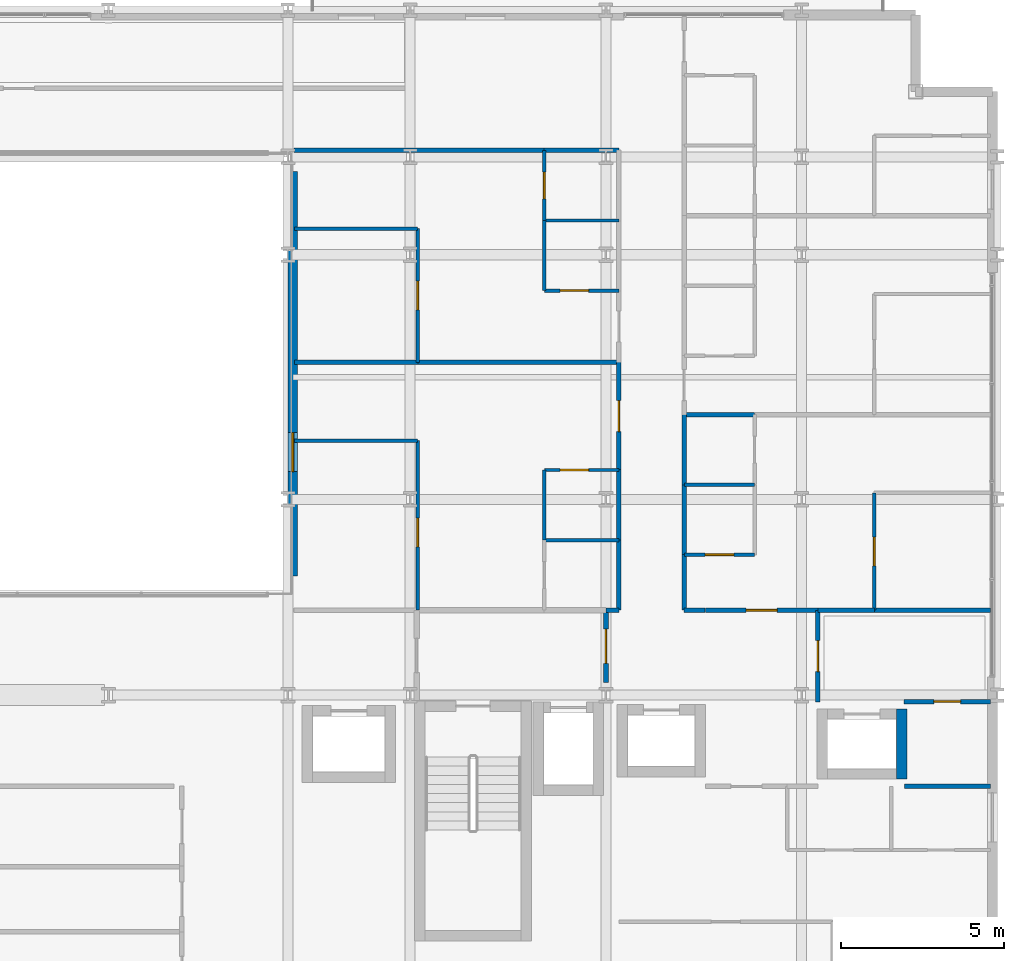
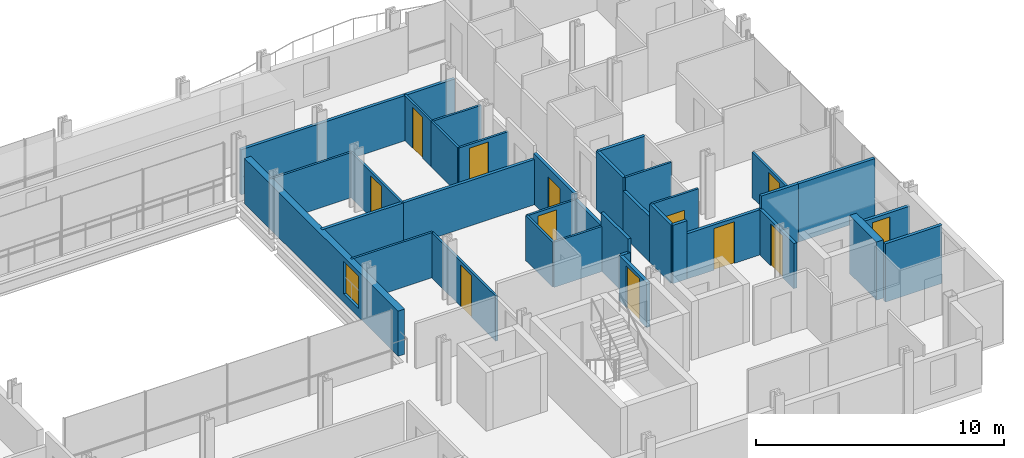
# One storey, part 35 of 40: 36 walls, 12 doors, 1 window, 13 openings.
"""IFC4 building model written with IfcOpenShell, lengths in metres."""

from ifc_helpers import new_model, si_unit, direction, frame, frame_2d, origin, place, context, subcontext, project, spatial, rectangle, extrude, material, layer, layer_set, type_object, element, fill, save


model = new_model("IFC4")

# Units and contexts
model_context = context("Model", 3, precision=1e-05, world=origin(), true_north=direction((0.0, 1.0)))
body_context = subcontext(model_context, "Body", "Model", "MODEL_VIEW")
ifc_project = project(units=[si_unit("LENGTHUNIT", "METRE"), si_unit("AREAUNIT", "SQUARE_METRE"), si_unit("VOLUMEUNIT", "CUBIC_METRE"), si_unit("PLANEANGLEUNIT", "RADIAN"), si_unit("MASSUNIT", "GRAM", prefix="KILO")], contexts=[model_context])

# Site, building, storey
site_placement = place(None, origin())
site = spatial("IfcSite", under=ifc_project, at=site_placement, CompositionType="ELEMENT")
building_placement = place(site_placement, origin())
building = spatial("IfcBuilding", under=site, at=building_placement, Name="Brevholm Reach", CompositionType="ELEMENT")
storey_placement = place(building_placement, frame((0.0, 0.0, 37.300048828125)))
storey = spatial("IfcBuildingStorey", under=building, at=storey_placement, Name="L09", CompositionType="ELEMENT", Elevation=37.300048828125)

# Wall
ifc_material_1 = material(Name="Concrete C60/75", Category="concrete")
ifc_layer_1 = layer(ifc_material_1, 0.320068359375)
ifc_layer_set_1 = layer_set([ifc_layer_1], Name="Concrete C60/75")
wall_type_1 = type_object("IfcWallType", Name="WAL-COR-320", PredefinedType="SHEAR", material=ifc_layer_set_1)
wall_1_placement = place(storey_placement, frame((57.070068359375, 7.419921875, 0.0), z_axis=(0.0, 0.0, 1.0), x_axis=(0.0, 1.0, 0.0)))
element("IfcWall", 1, at=wall_1_placement, inside=storey, type_object=wall_type_1, Name="L09 Lift PL-L2 Shaft Wall E", PredefinedType="SHEAR", context=body_context, shape_type="SweptSolid", body=[
    extrude(rectangle(XDim=2.16015625, YDim=0.320068359375, at=frame_2d((1.080078125, 0.0))), origin(), (0.0, 0.0, 1.0), 2.869873046875),
])

# Wall, opening, window
ifc_material_2 = material(Name="Concrete C40/50", Category="concrete")
ifc_layer_2 = layer(ifc_material_2, 0.300048828125)
ifc_layer_set_2 = layer_set([ifc_layer_2], Name="Concrete C40/50")
wall_type_2 = type_object("IfcWallType", Name="WAL-EXT-300", PredefinedType="STANDARD", material=ifc_layer_set_2)
wall_2_placement = place(storey_placement, frame((38.39990234375, 13.64990234375, 0.0), z_axis=(0.0, 0.0, 1.0), x_axis=(0.0, 1.0, 0.0)))
wall_2 = element("IfcWall", 2, at=wall_2_placement, inside=storey, type_object=wall_type_2, Name="L09 Facade Wall WAL-L09-AT-E", PredefinedType="STANDARD", context=body_context, shape_type="SweptSolid", body=[
    extrude(rectangle(XDim=12.400146484375, YDim=0.300048828125, at=frame_2d((6.2001953125, 0.0))), origin(), (0.0, 0.0, 1.0), 2.224853515625),
])
opening_1_placement = place(wall_2_placement, frame((3.199951171875, 0.0, 0.405029296875)))
opening_1 = element("IfcOpeningElement", 3, at=opening_1_placement, cuts=wall_2, Name="Opening WN-08", PredefinedType="OPENING", context=body_context, shape_type="SweptSolid", body=[
    extrude(rectangle(XDim=1.199951171875, YDim=1.60009765625, at=frame_2d((0.60009765625, 0.800048828125))), frame((0.0, 0.159912109375, 0.0), z_axis=(0.0, -1.0, 0.0), x_axis=(1.0, 0.0, 0.0)), (0.0, 0.0, 1.0), 0.320068359375),
])
ifc_material_3 = material(Name="Dark Anodised Aluminium and Solar-Control IGU Glass", Category="aluminium")
window_type = type_object("IfcWindowType", Name="WIN-RES-1200", PartitioningType="SINGLE_PANEL", PredefinedType="WINDOW", material=ifc_material_3)
window_placement = place(opening_1_placement, origin())
window = element("IfcWindow", 4, at=window_placement, inside=storey, type_object=window_type, Name="L09 Window WIN-L09-AT-E1", OverallHeight=1.60009765625, OverallWidth=1.199951171875, PartitioningType="SINGLE_PANEL", PredefinedType="WINDOW", context=body_context, shape_type="SweptSolid", body=[
    extrude(rectangle(XDim=1.199951171875, YDim=1.60009765625, at=frame_2d((0.60009765625, 0.800048828125))), frame((0.0, 0.030029296875, 0.0), z_axis=(0.0, -1.0, 0.0), x_axis=(1.0, 0.0, 0.0)), (0.0, 0.0, 1.0), 0.06005859375),
])
fill(opening_1, window)

# Wall
ifc_material_4 = material(Name="Moisture-Resistant Acoustic Gypsum Stud Partition 100 mm", Category="gypsum")
ifc_layer_3 = layer(ifc_material_4, 0.10009765625)
ifc_layer_set_3 = layer_set([ifc_layer_3], Name="Moisture-Resistant Acoustic Gypsum Stud Partition 100 mm")
wall_type_3 = type_object("IfcWallType", Name="WAL-PRT-100", PredefinedType="PARTITIONING", material=ifc_layer_set_3)
wall_3_placement = place(storey_placement, frame((46.112060546875, 14.75, 0.0), z_axis=(0.0, 0.0, 1.0), x_axis=(1.0, 0.0, 0.0)))
element("IfcWall", 5, at=wall_3_placement, inside=storey, type_object=wall_type_3, Name="L09 Internal Partition 124", PredefinedType="PARTITIONING", context=body_context, shape_type="SweptSolid", body=[
    extrude(rectangle(XDim=2.283935546875, YDim=0.10009765625, at=frame_2d((1.14208984375, 0.0))), origin(), (0.0, 0.0, 1.0), 2.224853515625),
])

# Wall, opening, door
wall_4_placement = place(storey_placement, frame((46.112060546875, 16.89990234375, 0.0), z_axis=(0.0, 0.0, 1.0), x_axis=(1.0, 0.0, 0.0)))
wall_4 = element("IfcWall", 6, at=wall_4_placement, inside=storey, type_object=wall_type_3, Name="L09 Internal Partition 126", PredefinedType="PARTITIONING", context=body_context, shape_type="SweptSolid", body=[
    extrude(rectangle(XDim=2.283935546875, YDim=0.10009765625, at=frame_2d((1.14208984375, 0.0))), origin(), (0.0, 0.0, 1.0), 2.224853515625),
])
opening_2_placement = place(wall_4_placement, frame((0.48193359375, 0.0, 0.0)))
opening_2 = element("IfcOpeningElement", 7, at=opening_2_placement, cuts=wall_4, Name="Opening ID-01", PredefinedType="OPENING", context=body_context, shape_type="SweptSolid", body=[
    extrude(rectangle(XDim=0.8798828125, YDim=2.0400390625, at=frame_2d((0.43994140625, 1.02001953125))), frame((0.0, 0.06005859375, 0.0), z_axis=(0.0, -1.0, 0.0), x_axis=(1.0, 0.0, 0.0)), (0.0, 0.0, 1.0), 0.1201171875),
])
ifc_material_5 = material(Name="Lacquered Ash Solid-Core Acoustic Internal Door", Category="timber")
door_type_1 = type_object("IfcDoorType", Name="DOR-INT-880", OperationType="NOTDEFINED", PredefinedType="DOOR", material=ifc_material_5)
door_1_placement = place(opening_2_placement, origin())
door_1 = element("IfcDoor", 8, at=door_1_placement, inside=storey, type_object=door_type_1, Name="L09 Internal Door 047", OperationType="SINGLE_SWING_RIGHT", OverallHeight=2.0400390625, OverallWidth=0.8798828125, PredefinedType="DOOR", context=body_context, shape_type="SweptSolid", body=[
    extrude(rectangle(XDim=0.8798828125, YDim=2.0400390625, at=frame_2d((0.43994140625, 1.02001953125))), frame((0.0, 0.02490234375, 0.0), z_axis=(0.0, -1.0, 0.0), x_axis=(1.0, 0.0, 0.0)), (0.0, 0.0, 1.0), 0.050048828125),
])
fill(opening_2, door_1)

# Wall
wall_5_placement = place(storey_placement, frame((46.112060546875, 14.75390625, 0.0), z_axis=(0.0, 0.0, 1.0), x_axis=(0.0, 1.0, 0.0)))
element("IfcWall", 9, at=wall_5_placement, inside=storey, type_object=wall_type_3, Name="L09 Internal Partition 127", PredefinedType="PARTITIONING", context=body_context, shape_type="SweptSolid", body=[
    extrude(rectangle(XDim=2.14599609375, YDim=0.10009765625, at=frame_2d((1.072998046875, 0.0))), origin(), (0.0, 0.0, 1.0), 2.224853515625),
])

# Wall, opening, door
wall_6_placement = place(storey_placement, frame((42.23095703125, 12.60400390625, 0.0), z_axis=(0.0, 0.0, 1.0), x_axis=(0.0, 1.0, 0.0)))
wall_6 = element("IfcWall", 10, at=wall_6_placement, inside=storey, type_object=wall_type_3, Name="L09 Internal Partition 128", PredefinedType="PARTITIONING", context=body_context, shape_type="SweptSolid", body=[
    extrude(rectangle(XDim=5.196044921875, YDim=0.10009765625, at=frame_2d((2.59814453125, 0.0))), origin(), (0.0, 0.0, 1.0), 2.224853515625),
])
opening_3_placement = place(wall_6_placement, frame((1.93798828125, 0.0, 0.0)))
opening_3 = element("IfcOpeningElement", 11, at=opening_3_placement, cuts=wall_6, Name="Opening ID-01", PredefinedType="OPENING", context=body_context, shape_type="SweptSolid", body=[
    extrude(rectangle(XDim=0.8798828125, YDim=2.0400390625, at=frame_2d((0.43994140625, 1.02001953125))), frame((0.0, 0.06005859375, 0.0), z_axis=(0.0, -1.0, 0.0), x_axis=(1.0, 0.0, 0.0)), (0.0, 0.0, 1.0), 0.1201171875),
])
door_2_placement = place(opening_3_placement, origin())
door_2 = element("IfcDoor", 12, at=door_2_placement, inside=storey, type_object=door_type_1, Name="L09 Internal Door 048", OperationType="SINGLE_SWING_LEFT", OverallHeight=2.0400390625, OverallWidth=0.8798828125, PredefinedType="DOOR", context=body_context, shape_type="SweptSolid", body=[
    extrude(rectangle(XDim=0.8798828125, YDim=2.0400390625, at=frame_2d((0.43994140625, 1.02001953125))), frame((0.0, 0.02490234375, 0.0), z_axis=(0.0, -1.0, 0.0), x_axis=(1.0, 0.0, 0.0)), (0.0, 0.0, 1.0), 0.050048828125),
])
fill(opening_3, door_2)

# Walls
wall_7_placement = place(storey_placement, frame((38.449951171875, 17.800048828125, 0.0), z_axis=(0.0, 0.0, 1.0), x_axis=(1.0, 0.0, 0.0)))
element("IfcWall", 13, at=wall_7_placement, inside=storey, type_object=wall_type_3, Name="L09 Internal Partition 129", PredefinedType="PARTITIONING", context=body_context, shape_type="SweptSolid", body=[
    extrude(rectangle(XDim=3.781005859375, YDim=0.10009765625, at=frame_2d((1.890625, 0.0))), origin(), (0.0, 0.0, 1.0), 2.224853515625),
])
wall_8_placement = place(storey_placement, frame((46.112060546875, 24.550048828125, 0.0), z_axis=(0.0, 0.0, 1.0), x_axis=(1.0, 0.0, 0.0)))
element("IfcWall", 14, at=wall_8_placement, inside=storey, type_object=wall_type_3, Name="L09 Internal Partition 132", PredefinedType="PARTITIONING", context=body_context, shape_type="SweptSolid", body=[
    extrude(rectangle(XDim=2.283935546875, YDim=0.10009765625, at=frame_2d((1.14208984375, 0.0))), origin(), (0.0, 0.0, 1.0), 2.224853515625),
])

# Wall, opening, door
wall_9_placement = place(storey_placement, frame((46.112060546875, 24.550048828125, 0.0), z_axis=(0.0, 0.0, 1.0), x_axis=(0.0, 1.0, 0.0)))
wall_9 = element("IfcWall", 15, at=wall_9_placement, inside=storey, type_object=wall_type_3, Name="L09 Internal Partition 133", PredefinedType="PARTITIONING", context=body_context, shape_type="SweptSolid", body=[
    extrude(rectangle(XDim=2.14599609375, YDim=0.10009765625, at=frame_2d((1.072998046875, 0.0))), origin(), (0.0, 0.0, 1.0), 2.224853515625),
])
opening_4_placement = place(wall_9_placement, frame((0.6630859375, 0.0, 0.0)))
opening_4 = element("IfcOpeningElement", 16, at=opening_4_placement, cuts=wall_9, Name="Opening ID-03", PredefinedType="OPENING", context=body_context, shape_type="SweptSolid", body=[
    extrude(rectangle(XDim=0.820068359375, YDim=2.02001953125, at=frame_2d((0.41015625, 1.010009765625))), frame((0.0, 0.06005859375, 0.0), z_axis=(0.0, -1.0, 0.0), x_axis=(1.0, 0.0, 0.0)), (0.0, 0.0, 1.0), 0.1201171875),
])
ifc_material_6 = material(Name="Moisture-Resistant Painted Timber Internal Bathroom Door", Category="wood")
door_type_2 = type_object("IfcDoorType", Name="DOR-BATH-820", OperationType="NOTDEFINED", PredefinedType="DOOR", material=ifc_material_6)
door_3_placement = place(opening_4_placement, origin())
door_3 = element("IfcDoor", 17, at=door_3_placement, inside=storey, type_object=door_type_2, Name="L09 Internal Door 049", OperationType="SINGLE_SWING_RIGHT", OverallHeight=2.02001953125, OverallWidth=0.820068359375, PredefinedType="DOOR", context=body_context, shape_type="SweptSolid", body=[
    extrude(rectangle(XDim=0.820068359375, YDim=2.02001953125, at=frame_2d((0.41015625, 1.010009765625))), frame((0.0, 0.02490234375, 0.0), z_axis=(0.0, -1.0, 0.0), x_axis=(1.0, 0.0, 0.0)), (0.0, 0.0, 1.0), 0.050048828125),
])
fill(opening_4, door_3)

wall_10_placement = place(storey_placement, frame((46.112060546875, 22.39990234375, 0.0), z_axis=(0.0, 0.0, 1.0), x_axis=(1.0, 0.0, 0.0)))
wall_10 = element("IfcWall", 18, at=wall_10_placement, inside=storey, type_object=wall_type_3, Name="L09 Internal Partition 134", PredefinedType="PARTITIONING", context=body_context, shape_type="SweptSolid", body=[
    extrude(rectangle(XDim=2.283935546875, YDim=0.10009765625, at=frame_2d((1.14208984375, 0.0))), origin(), (0.0, 0.0, 1.0), 2.224853515625),
])
opening_5_placement = place(wall_10_placement, frame((0.48193359375, 0.0, 0.0)))
opening_5 = element("IfcOpeningElement", 19, at=opening_5_placement, cuts=wall_10, Name="Opening ID-01", PredefinedType="OPENING", context=body_context, shape_type="SweptSolid", body=[
    extrude(rectangle(XDim=0.8798828125, YDim=2.0400390625, at=frame_2d((0.43994140625, 1.02001953125))), frame((0.0, 0.06005859375, 0.0), z_axis=(0.0, -1.0, 0.0), x_axis=(1.0, 0.0, 0.0)), (0.0, 0.0, 1.0), 0.1201171875),
])
door_4_placement = place(opening_5_placement, origin())
door_4 = element("IfcDoor", 20, at=door_4_placement, inside=storey, type_object=door_type_1, Name="L09 Internal Door 050", OperationType="SINGLE_SWING_LEFT", OverallHeight=2.0400390625, OverallWidth=0.8798828125, PredefinedType="DOOR", context=body_context, shape_type="SweptSolid", body=[
    extrude(rectangle(XDim=0.8798828125, YDim=2.0400390625, at=frame_2d((0.43994140625, 1.02001953125))), frame((0.0, 0.02490234375, 0.0), z_axis=(0.0, -1.0, 0.0), x_axis=(1.0, 0.0, 0.0)), (0.0, 0.0, 1.0), 0.050048828125),
])
fill(opening_5, door_4)

# Wall
wall_11_placement = place(storey_placement, frame((46.112060546875, 22.39990234375, 0.0), z_axis=(0.0, 0.0, 1.0), x_axis=(0.0, 1.0, 0.0)))
element("IfcWall", 21, at=wall_11_placement, inside=storey, type_object=wall_type_3, Name="L09 Internal Partition 135", PredefinedType="PARTITIONING", context=body_context, shape_type="SweptSolid", body=[
    extrude(rectangle(XDim=2.14599609375, YDim=0.10009765625, at=frame_2d((1.072998046875, 0.0))), origin(), (0.0, 0.0, 1.0), 2.224853515625),
])

# Wall, opening, door
wall_12_placement = place(storey_placement, frame((42.23095703125, 20.2041015625, 0.0), z_axis=(0.0, 0.0, 1.0), x_axis=(0.0, 1.0, 0.0)))
wall_12 = element("IfcWall", 22, at=wall_12_placement, inside=storey, type_object=wall_type_3, Name="L09 Internal Partition 136", PredefinedType="PARTITIONING", context=body_context, shape_type="SweptSolid", body=[
    extrude(rectangle(XDim=4.095947265625, YDim=0.10009765625, at=frame_2d((2.0478515625, 0.0))), origin(), (0.0, 0.0, 1.0), 2.224853515625),
])
opening_6_placement = place(wall_12_placement, frame((1.60791015625, 0.0, 0.0)))
opening_6 = element("IfcOpeningElement", 23, at=opening_6_placement, cuts=wall_12, Name="Opening ID-01", PredefinedType="OPENING", context=body_context, shape_type="SweptSolid", body=[
    extrude(rectangle(XDim=0.8798828125, YDim=2.0400390625, at=frame_2d((0.43994140625, 1.02001953125))), frame((0.0, 0.06005859375, 0.0), z_axis=(0.0, -1.0, 0.0), x_axis=(1.0, 0.0, 0.0)), (0.0, 0.0, 1.0), 0.1201171875),
])
door_5_placement = place(opening_6_placement, origin())
door_5 = element("IfcDoor", 24, at=door_5_placement, inside=storey, type_object=door_type_1, Name="L09 Internal Door 051", OperationType="SINGLE_SWING_RIGHT", OverallHeight=2.0400390625, OverallWidth=0.8798828125, PredefinedType="DOOR", context=body_context, shape_type="SweptSolid", body=[
    extrude(rectangle(XDim=0.8798828125, YDim=2.0400390625, at=frame_2d((0.43994140625, 1.02001953125))), frame((0.0, 0.02490234375, 0.0), z_axis=(0.0, -1.0, 0.0), x_axis=(1.0, 0.0, 0.0)), (0.0, 0.0, 1.0), 0.050048828125),
])
fill(opening_6, door_5)

# Walls
wall_13_placement = place(storey_placement, frame((38.449951171875, 24.300048828125, 0.0), z_axis=(0.0, 0.0, 1.0), x_axis=(1.0, 0.0, 0.0)))
element("IfcWall", 25, at=wall_13_placement, inside=storey, type_object=wall_type_3, Name="L09 Internal Partition 137", PredefinedType="PARTITIONING", context=body_context, shape_type="SweptSolid", body=[
    extrude(rectangle(XDim=3.781005859375, YDim=0.10009765625, at=frame_2d((1.890625, 0.0))), origin(), (0.0, 0.0, 1.0), 2.224853515625),
])
wall_14_placement = place(storey_placement, frame((50.404052734375, 16.449951171875, 0.0), z_axis=(0.0, 0.0, 1.0), x_axis=(1.0, 0.0, 0.0)))
element("IfcWall", 26, at=wall_14_placement, inside=storey, type_object=wall_type_3, Name="L09 Internal Partition 138", PredefinedType="PARTITIONING", context=body_context, shape_type="SweptSolid", body=[
    extrude(rectangle(XDim=2.157958984375, YDim=0.10009765625, at=frame_2d((1.0791015625, 0.0))), origin(), (0.0, 0.0, 1.0), 2.869873046875),
])

# Wall, opening, door
wall_15_placement = place(storey_placement, frame((50.404052734375, 14.300048828125, 0.0), z_axis=(0.0, 0.0, 1.0), x_axis=(1.0, 0.0, 0.0)))
wall_15 = element("IfcWall", 27, at=wall_15_placement, inside=storey, type_object=wall_type_3, Name="L09 Internal Partition 141", PredefinedType="PARTITIONING", context=body_context, shape_type="SweptSolid", body=[
    extrude(rectangle(XDim=2.157958984375, YDim=0.10009765625, at=frame_2d((1.0791015625, 0.0))), origin(), (0.0, 0.0, 1.0), 2.869873046875),
])
opening_7_placement = place(wall_15_placement, frame((0.638916015625, 0.0, 0.0)))
opening_7 = element("IfcOpeningElement", 28, at=opening_7_placement, cuts=wall_15, Name="Opening ID-01", PredefinedType="OPENING", context=body_context, shape_type="SweptSolid", body=[
    extrude(rectangle(XDim=0.8798828125, YDim=2.0400390625, at=frame_2d((0.43994140625, 1.02001953125))), frame((0.0, 0.06005859375, 0.0), z_axis=(0.0, -1.0, 0.0), x_axis=(1.0, 0.0, 0.0)), (0.0, 0.0, 1.0), 0.1201171875),
])
door_6_placement = place(opening_7_placement, origin())
door_6 = element("IfcDoor", 29, at=door_6_placement, inside=storey, type_object=door_type_1, Name="L09 Internal Door 053", OperationType="SINGLE_SWING_RIGHT", OverallHeight=2.0400390625, OverallWidth=0.8798828125, PredefinedType="DOOR", context=body_context, shape_type="SweptSolid", body=[
    extrude(rectangle(XDim=0.8798828125, YDim=2.0400390625, at=frame_2d((0.43994140625, 1.02001953125))), frame((0.0, 0.02490234375, 0.0), z_axis=(0.0, -1.0, 0.0), x_axis=(1.0, 0.0, 0.0)), (0.0, 0.0, 1.0), 0.050048828125),
])
fill(opening_7, door_6)

wall_16_placement = place(storey_placement, frame((56.22802734375, 12.60400390625, 0.0), z_axis=(0.0, 0.0, 1.0), x_axis=(0.0, 1.0, 0.0)))
wall_16 = element("IfcWall", 30, at=wall_16_placement, inside=storey, type_object=wall_type_3, Name="L09 Internal Partition 144", PredefinedType="PARTITIONING", context=body_context, shape_type="SweptSolid", body=[
    extrude(rectangle(XDim=3.595947265625, YDim=0.10009765625, at=frame_2d((1.7978515625, 0.0))), origin(), (0.0, 0.0, 1.0), 2.224853515625),
])
opening_8_placement = place(wall_16_placement, frame((1.35791015625, 0.0, 0.0)))
opening_8 = element("IfcOpeningElement", 31, at=opening_8_placement, cuts=wall_16, Name="Opening ID-01", PredefinedType="OPENING", context=body_context, shape_type="SweptSolid", body=[
    extrude(rectangle(XDim=0.8798828125, YDim=2.0400390625, at=frame_2d((0.43994140625, 1.02001953125))), frame((0.0, 0.06005859375, 0.0), z_axis=(0.0, -1.0, 0.0), x_axis=(1.0, 0.0, 0.0)), (0.0, 0.0, 1.0), 0.1201171875),
])
door_7_placement = place(opening_8_placement, origin())
door_7 = element("IfcDoor", 32, at=door_7_placement, inside=storey, type_object=door_type_1, Name="L09 Internal Door 054", OperationType="SINGLE_SWING_LEFT", OverallHeight=2.0400390625, OverallWidth=0.8798828125, PredefinedType="DOOR", context=body_context, shape_type="SweptSolid", body=[
    extrude(rectangle(XDim=0.8798828125, YDim=2.0400390625, at=frame_2d((0.43994140625, 1.02001953125))), frame((0.0, 0.02490234375, 0.0), z_axis=(0.0, -1.0, 0.0), x_axis=(1.0, 0.0, 0.0)), (0.0, 0.0, 1.0), 0.050048828125),
])
fill(opening_8, door_7)

ifc_material_7 = material(Name="Twin-Stud Acoustic Fire-Rated Gypsum Partition 140 mm", Category="gypsum")
ifc_layer_4 = layer(ifc_material_7, 0.139892578125)
ifc_layer_set_4 = layer_set([ifc_layer_4], Name="Twin-Stud Acoustic Fire-Rated Gypsum Partition 140 mm")
wall_type_4 = type_object("IfcWallType", Name="WAL-PRT-140", PredefinedType="PARTITIONING", material=ifc_layer_set_4)
wall_17_placement = place(storey_placement, frame((54.5, 9.788818359375, 0.0), z_axis=(0.0, 0.0, 1.0), x_axis=(0.0, 1.0, 0.0)))
wall_17 = element("IfcWall", 33, at=wall_17_placement, inside=storey, type_object=wall_type_4, Name="L09 Internal Partition 008", PredefinedType="PARTITIONING", context=body_context, shape_type="SweptSolid", body=[
    extrude(rectangle(XDim=2.811279296875, YDim=0.139892578125, at=frame_2d((1.40576171875, 0.0))), origin(), (0.0, 0.0, 1.0), 2.224853515625),
])
opening_9_placement = place(wall_17_placement, frame((0.9306640625, 0.0, 0.0)))
opening_9 = element("IfcOpeningElement", 34, at=opening_9_placement, cuts=wall_17, Name="Opening ID-30", PredefinedType="OPENING", context=body_context, shape_type="SweptSolid", body=[
    extrude(rectangle(XDim=0.949951171875, YDim=2.050048828125, at=frame_2d((0.47509765625, 1.02490234375))), frame((0.0, 0.079833984375, 0.0), z_axis=(0.0, -1.0, 0.0), x_axis=(1.0, 0.0, 0.0)), (0.0, 0.0, 1.0), 0.159912109375),
])
ifc_material_8 = material(Name="European Oak Veneered Solid-Core Fire Entrance Door", Category="timber")
door_type_3 = type_object("IfcDoorType", Name="DOR-FLT-FD30S", OperationType="NOTDEFINED", PredefinedType="DOOR", material=ifc_material_8)
door_8_placement = place(opening_9_placement, origin())
door_8 = element("IfcDoor", 35, at=door_8_placement, inside=storey, type_object=door_type_3, Name="L09 Internal Door 006", OperationType="SINGLE_SWING_LEFT", OverallHeight=2.050048828125, OverallWidth=0.949951171875, PredefinedType="DOOR", context=body_context, shape_type="SweptSolid", body=[
    extrude(rectangle(XDim=0.949951171875, YDim=2.050048828125, at=frame_2d((0.47509765625, 1.02490234375))), frame((0.0, 0.02490234375, 0.0), z_axis=(0.0, -1.0, 0.0), x_axis=(1.0, 0.0, 0.0)), (0.0, 0.0, 1.0), 0.050048828125),
])
fill(opening_9, door_8)

wall_18_placement = place(storey_placement, frame((51.050048828125, 12.60009765625, 0.0), z_axis=(0.0, 0.0, 1.0), x_axis=(1.0, 0.0, 0.0)))
wall_18 = element("IfcWall", 36, at=wall_18_placement, inside=storey, type_object=wall_type_4, Name="L09 Internal Partition 011", PredefinedType="PARTITIONING", context=body_context, shape_type="SweptSolid", body=[
    extrude(rectangle(XDim=3.449951171875, YDim=0.139892578125, at=frame_2d((1.72509765625, 0.0))), origin(), (0.0, 0.0, 1.0), 2.224853515625),
])
opening_10_placement = place(wall_18_placement, frame((1.25, 0.0, 0.0)))
opening_10 = element("IfcOpeningElement", 37, at=opening_10_placement, cuts=wall_18, Name="Opening ID-30", PredefinedType="OPENING", context=body_context, shape_type="SweptSolid", body=[
    extrude(rectangle(XDim=0.949951171875, YDim=2.050048828125, at=frame_2d((0.47509765625, 1.02490234375))), frame((0.0, 0.079833984375, 0.0), z_axis=(0.0, -1.0, 0.0), x_axis=(1.0, 0.0, 0.0)), (0.0, 0.0, 1.0), 0.159912109375),
])
door_9_placement = place(opening_10_placement, origin())
door_9 = element("IfcDoor", 38, at=door_9_placement, inside=storey, type_object=door_type_3, Name="L09 Internal Door 008", OperationType="SINGLE_SWING_LEFT", OverallHeight=2.050048828125, OverallWidth=0.949951171875, PredefinedType="DOOR", context=body_context, shape_type="SweptSolid", body=[
    extrude(rectangle(XDim=0.949951171875, YDim=2.050048828125, at=frame_2d((0.47509765625, 1.02490234375))), frame((0.0, 0.02490234375, 0.0), z_axis=(0.0, -1.0, 0.0), x_axis=(1.0, 0.0, 0.0)), (0.0, 0.0, 1.0), 0.050048828125),
])
fill(opening_10, door_9)

# Walls
wall_19_placement = place(storey_placement, frame((48.00390625, 12.60009765625, 0.0), z_axis=(0.0, 0.0, 1.0), x_axis=(1.0, 0.0, 0.0)))
element("IfcWall", 39, at=wall_19_placement, inside=storey, type_object=wall_type_4, Name="L09 Internal Partition 028", PredefinedType="PARTITIONING", context=body_context, shape_type="SweptSolid", body=[
    extrude(rectangle(XDim=0.4033203125, YDim=0.139892578125, at=frame_2d((0.20166015625, 0.0))), origin(), (0.0, 0.0, 1.0), 2.224853515625),
])
wall_20_placement = place(storey_placement, frame((50.392578125, 12.60009765625, 0.0), z_axis=(0.0, 0.0, 1.0), x_axis=(1.0, 0.0, 0.0)))
element("IfcWall", 40, at=wall_20_placement, inside=storey, type_object=wall_type_4, Name="L09 Internal Partition 029", PredefinedType="PARTITIONING", context=body_context, shape_type="SweptSolid", body=[
    extrude(rectangle(XDim=0.6533203125, YDim=0.139892578125, at=frame_2d((0.32666015625, 0.0))), origin(), (0.0, 0.0, 1.0), 2.869873046875),
])
wall_21_placement = place(storey_placement, frame((48.39990234375, 12.60400390625, 0.0), z_axis=(0.0, 0.0, 1.0), x_axis=(0.0, 1.0, 0.0)))
element("IfcWall", 41, at=wall_21_placement, inside=storey, type_object=wall_type_4, Name="L09 Internal Partition 045", PredefinedType="PARTITIONING", context=body_context, shape_type="SweptSolid", body=[
    extrude(rectangle(XDim=2.1572265625, YDim=0.139892578125, at=frame_2d((1.07861328125, 0.0))), origin(), (0.0, 0.0, 1.0), 2.869873046875),
])
wall_22_placement = place(storey_placement, frame((48.39990234375, 14.74267578125, 0.0), z_axis=(0.0, 0.0, 1.0), x_axis=(0.0, 1.0, 0.0)))
element("IfcWall", 42, at=wall_22_placement, inside=storey, type_object=wall_type_4, Name="L09 Internal Partition 046", PredefinedType="PARTITIONING", context=body_context, shape_type="SweptSolid", body=[
    extrude(rectangle(XDim=2.168701171875, YDim=0.139892578125, at=frame_2d((1.08447265625, 0.0))), origin(), (0.0, 0.0, 1.0), 2.224853515625),
])

# Wall, opening, door
wall_23_placement = place(storey_placement, frame((48.39990234375, 16.892578125, 0.0), z_axis=(0.0, 0.0, 1.0), x_axis=(0.0, 1.0, 0.0)))
wall_23 = element("IfcWall", 43, at=wall_23_placement, inside=storey, type_object=wall_type_4, Name="L09 Internal Partition 047", PredefinedType="PARTITIONING", context=body_context, shape_type="SweptSolid", body=[
    extrude(rectangle(XDim=3.318603515625, YDim=0.139892578125, at=frame_2d((1.6591796875, 0.0))), origin(), (0.0, 0.0, 1.0), 2.489990234375),
])
opening_11_placement = place(wall_23_placement, frame((1.184326171875, 0.0, 0.0)))
opening_11 = element("IfcOpeningElement", 44, at=opening_11_placement, cuts=wall_23, Name="Opening ID-30", PredefinedType="OPENING", context=body_context, shape_type="SweptSolid", body=[
    extrude(rectangle(XDim=0.949951171875, YDim=2.050048828125, at=frame_2d((0.47509765625, 1.02490234375))), frame((0.0, 0.079833984375, 0.0), z_axis=(0.0, -1.0, 0.0), x_axis=(1.0, 0.0, 0.0)), (0.0, 0.0, 1.0), 0.159912109375),
])
door_10_placement = place(opening_11_placement, origin())
door_10 = element("IfcDoor", 45, at=door_10_placement, inside=storey, type_object=door_type_3, Name="L09 Internal Door 020", OperationType="SINGLE_SWING_LEFT", OverallHeight=2.050048828125, OverallWidth=0.949951171875, PredefinedType="DOOR", context=body_context, shape_type="SweptSolid", body=[
    extrude(rectangle(XDim=0.949951171875, YDim=2.050048828125, at=frame_2d((0.47509765625, 1.02490234375))), frame((0.0, 0.02490234375, 0.0), z_axis=(0.0, -1.0, 0.0), x_axis=(1.0, 0.0, 0.0)), (0.0, 0.0, 1.0), 0.050048828125),
])
fill(opening_11, door_10)

# Walls
wall_24_placement = place(storey_placement, frame((50.39990234375, 16.438720703125, 0.0), z_axis=(0.0, 0.0, 1.0), x_axis=(0.0, 1.0, 0.0)))
element("IfcWall", 46, at=wall_24_placement, inside=storey, type_object=wall_type_4, Name="L09 Internal Partition 051", PredefinedType="PARTITIONING", context=body_context, shape_type="SweptSolid", body=[
    extrude(rectangle(XDim=2.172607421875, YDim=0.139892578125, at=frame_2d((1.08642578125, 0.0))), origin(), (0.0, 0.0, 1.0), 2.869873046875),
])
wall_25_placement = place(storey_placement, frame((50.39990234375, 14.288818359375, 0.0), z_axis=(0.0, 0.0, 1.0), x_axis=(0.0, 1.0, 0.0)))
element("IfcWall", 47, at=wall_25_placement, inside=storey, type_object=wall_type_4, Name="L09 Internal Partition 052", PredefinedType="PARTITIONING", context=body_context, shape_type="SweptSolid", body=[
    extrude(rectangle(XDim=2.16845703125, YDim=0.139892578125, at=frame_2d((1.084228515625, 0.0))), origin(), (0.0, 0.0, 1.0), 2.224853515625),
])
wall_26_placement = place(storey_placement, frame((50.39990234375, 12.60400390625, 0.0), z_axis=(0.0, 0.0, 1.0), x_axis=(0.0, 1.0, 0.0)))
element("IfcWall", 48, at=wall_26_placement, inside=storey, type_object=wall_type_4, Name="L09 Internal Partition 053", PredefinedType="PARTITIONING", context=body_context, shape_type="SweptSolid", body=[
    extrude(rectangle(XDim=1.703369140625, YDim=0.139892578125, at=frame_2d((0.8515625, 0.0))), origin(), (0.0, 0.0, 1.0), 2.869873046875),
])
wall_27_placement = place(storey_placement, frame((46.1005859375, 26.699951171875, 0.0), z_axis=(0.0, 0.0, 1.0), x_axis=(1.0, 0.0, 0.0)))
element("IfcWall", 49, at=wall_27_placement, inside=storey, type_object=wall_type_4, Name="L09 Internal Partition 062", PredefinedType="PARTITIONING", context=body_context, shape_type="SweptSolid", body=[
    extrude(rectangle(XDim=2.29541015625, YDim=0.139892578125, at=frame_2d((1.147705078125, 0.0))), origin(), (0.0, 0.0, 1.0), 2.224853515625),
])
wall_28_placement = place(storey_placement, frame((38.438720703125, 26.699951171875, 0.0), z_axis=(0.0, 0.0, 1.0), x_axis=(1.0, 0.0, 0.0)))
element("IfcWall", 50, at=wall_28_placement, inside=storey, type_object=wall_type_4, Name="L09 Internal Partition 063", PredefinedType="PARTITIONING", context=body_context, shape_type="SweptSolid", body=[
    extrude(rectangle(XDim=7.6806640625, YDim=0.139892578125, at=frame_2d((3.84033203125, 0.0))), origin(), (0.0, 0.0, 1.0), 2.224853515625),
])

# Wall, opening, door
wall_29_placement = place(storey_placement, frame((57.138671875, 9.800048828125, 0.0), z_axis=(0.0, 0.0, 1.0), x_axis=(1.0, 0.0, 0.0)))
wall_29 = element("IfcWall", 51, at=wall_29_placement, inside=storey, type_object=wall_type_4, Name="L09 Internal Partition 076", PredefinedType="PARTITIONING", context=body_context, shape_type="SweptSolid", body=[
    extrude(rectangle(XDim=2.661376953125, YDim=0.139892578125, at=frame_2d((1.33056640625, 0.0))), origin(), (0.0, 0.0, 1.0), 2.224853515625),
])
opening_12_placement = place(wall_29_placement, frame((0.920654296875, 0.0, 0.0)))
opening_12 = element("IfcOpeningElement", 52, at=opening_12_placement, cuts=wall_29, Name="Opening ID-02", PredefinedType="OPENING", context=body_context, shape_type="SweptSolid", body=[
    extrude(rectangle(XDim=0.820068359375, YDim=2.02001953125, at=frame_2d((0.41015625, 1.010009765625))), frame((0.0, 0.079833984375, 0.0), z_axis=(0.0, -1.0, 0.0), x_axis=(1.0, 0.0, 0.0)), (0.0, 0.0, 1.0), 0.159912109375),
])
ifc_material_9 = material(Name="Moisture-Resistant Painted Timber Fire-Rated Riser and Service Door", Category="wood")
door_type_4 = type_object("IfcDoorType", Name="DOR-SRV-820", OperationType="NOTDEFINED", PredefinedType="DOOR", material=ifc_material_9)
door_11_placement = place(opening_12_placement, origin())
door_11 = element("IfcDoor", 53, at=door_11_placement, inside=storey, type_object=door_type_4, Name="L09 Access Door 061", OperationType="SINGLE_SWING_RIGHT", OverallHeight=2.02001953125, OverallWidth=0.820068359375, PredefinedType="DOOR", context=body_context, shape_type="SweptSolid", body=[
    extrude(rectangle(XDim=0.820068359375, YDim=2.02001953125, at=frame_2d((0.41015625, 1.010009765625))), frame((0.0, 0.02490234375, 0.0), z_axis=(0.0, -1.0, 0.0), x_axis=(1.0, 0.0, 0.0)), (0.0, 0.0, 1.0), 0.050048828125),
])
fill(opening_12, door_11)

# Walls
wall_30_placement = place(storey_placement, frame((56.216796875, 12.60009765625, 0.0), z_axis=(0.0, 0.0, 1.0), x_axis=(1.0, 0.0, 0.0)))
element("IfcWall", 54, at=wall_30_placement, inside=storey, type_object=wall_type_4, Name="L09 Internal Partition 077", PredefinedType="PARTITIONING", context=body_context, shape_type="SweptSolid", body=[
    extrude(rectangle(XDim=3.583251953125, YDim=0.139892578125, at=frame_2d((1.79150390625, 0.0))), origin(), (0.0, 0.0, 1.0), 2.869873046875),
])
wall_31_placement = place(storey_placement, frame((54.50390625, 12.60009765625, 0.0), z_axis=(0.0, 0.0, 1.0), x_axis=(1.0, 0.0, 0.0)))
element("IfcWall", 55, at=wall_31_placement, inside=storey, type_object=wall_type_4, Name="L09 Internal Partition 078", PredefinedType="PARTITIONING", context=body_context, shape_type="SweptSolid", body=[
    extrude(rectangle(XDim=1.7314453125, YDim=0.139892578125, at=frame_2d((0.86572265625, 0.0))), origin(), (0.0, 0.0, 1.0), 2.869873046875),
])
wall_32_placement = place(storey_placement, frame((57.14990234375, 7.199951171875, 0.0), z_axis=(0.0, 0.0, 1.0), x_axis=(1.0, 0.0, 0.0)))
element("IfcWall", 56, at=wall_32_placement, inside=storey, type_object=wall_type_4, Name="L09 Internal Partition 079", PredefinedType="PARTITIONING", context=body_context, shape_type="SweptSolid", body=[
    extrude(rectangle(XDim=2.650146484375, YDim=0.139892578125, at=frame_2d((1.3251953125, 0.0))), origin(), (0.0, 0.0, 1.0), 2.869873046875),
])
wall_33_placement = place(storey_placement, frame((38.449951171875, 20.199951171875, 0.0), z_axis=(0.0, 0.0, 1.0), x_axis=(1.0, 0.0, 0.0)))
element("IfcWall", 57, at=wall_33_placement, inside=storey, type_object=wall_type_4, Name="L09 Internal Partition 130", PredefinedType="PARTITIONING", context=body_context, shape_type="SweptSolid", body=[
    extrude(rectangle(XDim=3.792236328125, YDim=0.139892578125, at=frame_2d((1.89599609375, 0.0))), origin(), (0.0, 0.0, 1.0), 2.224853515625),
])
wall_34_placement = place(storey_placement, frame((42.2236328125, 20.199951171875, 0.0), z_axis=(0.0, 0.0, 1.0), x_axis=(1.0, 0.0, 0.0)))
element("IfcWall", 58, at=wall_34_placement, inside=storey, type_object=wall_type_4, Name="L09 Internal Partition 131", PredefinedType="PARTITIONING", context=body_context, shape_type="SweptSolid", body=[
    extrude(rectangle(XDim=6.17236328125, YDim=0.139892578125, at=frame_2d((3.086181640625, 0.0))), origin(), (0.0, 0.0, 1.0), 2.224853515625),
])
wall_35_placement = place(storey_placement, frame((50.404052734375, 18.60009765625, 0.0), z_axis=(0.0, 0.0, 1.0), x_axis=(1.0, 0.0, 0.0)))
element("IfcWall", 59, at=wall_35_placement, inside=storey, type_object=wall_type_4, Name="L09 Internal Partition 140", PredefinedType="PARTITIONING", context=body_context, shape_type="SweptSolid", body=[
    extrude(rectangle(XDim=2.157958984375, YDim=0.139892578125, at=frame_2d((1.0791015625, 0.0))), origin(), (0.0, 0.0, 1.0), 2.869873046875),
])

# Wall, opening, door
ifc_material_10 = material(Name="Twin-Frame Fire-Rated Gypsum Board and Mineral Wool 160 mm", Category="gypsum")
ifc_layer_5 = layer(ifc_material_10, 0.159912109375)
ifc_layer_set_5 = layer_set([ifc_layer_5], Name="Twin-Frame Fire-Rated Gypsum Board and Mineral Wool 160 mm")
wall_type_5 = type_object("IfcWallType", Name="WAL-PRT-160", PredefinedType="PARTITIONING", material=ifc_layer_set_5)
wall_36_placement = place(storey_placement, frame((48.0, 10.388671875, 0.0), z_axis=(0.0, 0.0, 1.0), x_axis=(0.0, 1.0, 0.0)))
wall_36 = element("IfcWall", 60, at=wall_36_placement, inside=storey, type_object=wall_type_5, Name="L09 Internal Partition 019", PredefinedType="PARTITIONING", context=body_context, shape_type="SweptSolid", body=[
    extrude(rectangle(XDim=2.21142578125, YDim=0.159912109375, at=frame_2d((1.105712890625, 0.0))), origin(), (0.0, 0.0, 1.0), 2.224853515625),
])
opening_13_placement = place(wall_36_placement, frame((0.58056640625, 0.0, 0.0)))
opening_13 = element("IfcOpeningElement", 61, at=opening_13_placement, cuts=wall_36, Name="Opening FD-01", PredefinedType="OPENING", context=body_context, shape_type="SweptSolid", body=[
    extrude(rectangle(XDim=1.050048828125, YDim=2.06005859375, at=frame_2d((0.52490234375, 1.030029296875))), frame((0.0, 0.08984375, 0.0), z_axis=(0.0, -1.0, 0.0), x_axis=(1.0, 0.0, 0.0)), (0.0, 0.0, 1.0), 0.179931640625),
])
ifc_material_11 = material(Name="Hardwood-Lipped Steel-Core Fire and Smoke Door", Category="steel")
door_type_5 = type_object("IfcDoorType", Name="DOR-INT-FD60S", OperationType="NOTDEFINED", PredefinedType="DOOR", material=ifc_material_11)
door_12_placement = place(opening_13_placement, origin())
door_12 = element("IfcDoor", 62, at=door_12_placement, inside=storey, type_object=door_type_5, Name="L09 Internal Door 012", OperationType="SINGLE_SWING_LEFT", OverallHeight=2.06005859375, OverallWidth=1.050048828125, PredefinedType="DOOR", context=body_context, shape_type="SweptSolid", body=[
    extrude(rectangle(XDim=1.050048828125, YDim=2.06005859375, at=frame_2d((0.52490234375, 1.030029296875))), frame((0.0, 0.02490234375, 0.0), z_axis=(0.0, -1.0, 0.0), x_axis=(1.0, 0.0, 0.0)), (0.0, 0.0, 1.0), 0.050048828125),
])
fill(opening_13, door_12)

save(model, "model.ifc")
